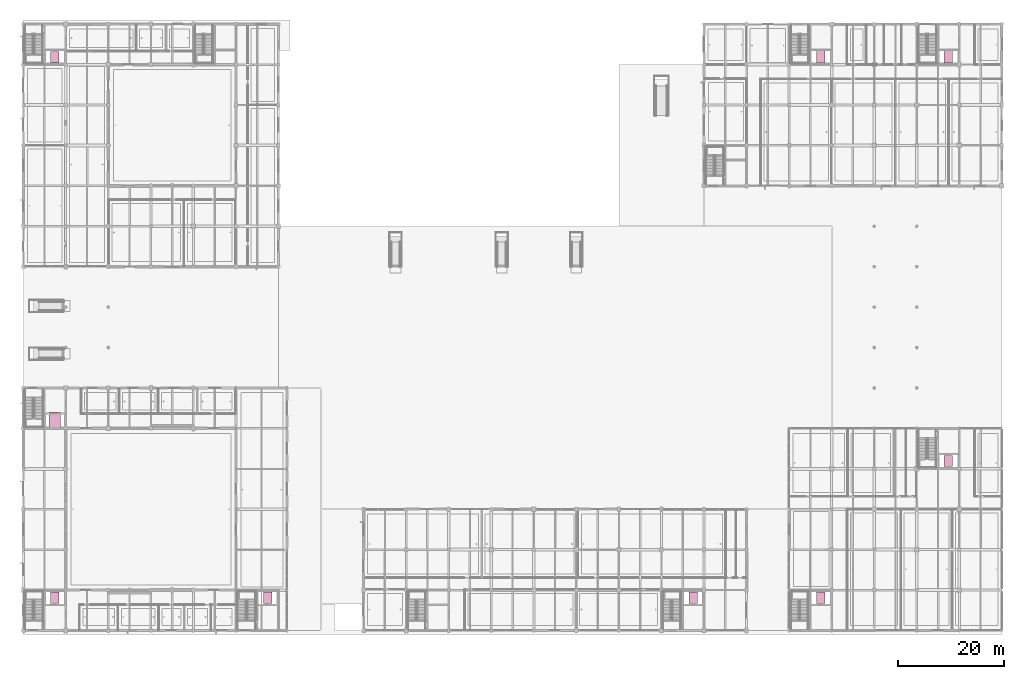
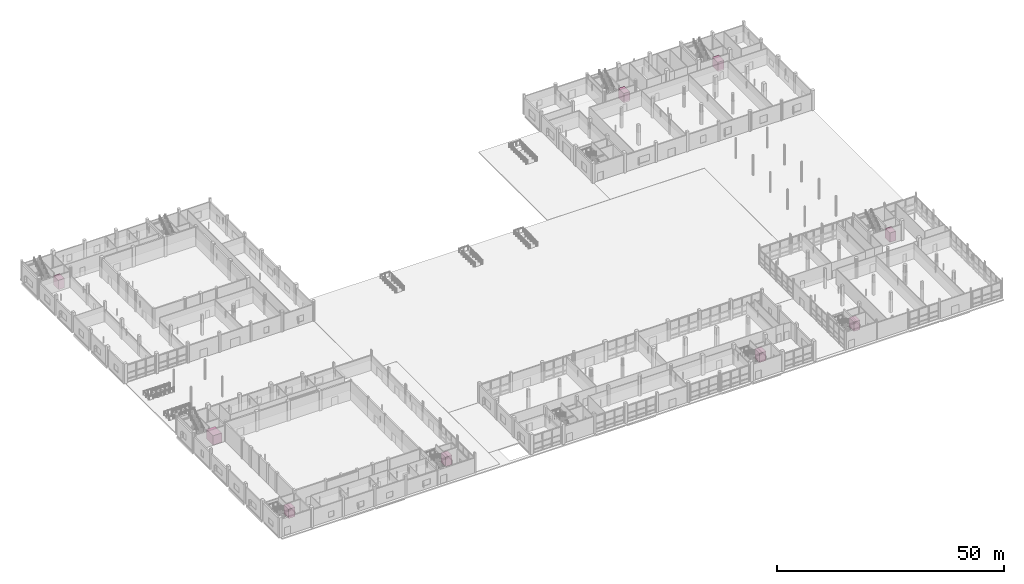
# One storey, part 126 of 126: 9 transport elements.
"""IFC4 building model written with IfcOpenShell, lengths in metres."""

from ifc_helpers import new_model, si_unit, direction, frame, origin, origin_2d, place, context, subcontext, project, spatial, rectangle, extrude, material, type_object, element, save


model = new_model("IFC4")

# Units and contexts
model_context = context("Model", 3, precision=1e-05, world=origin(), true_north=direction((0.0, 1.0)))
body_context = subcontext(model_context, "Body", "Model", "MODEL_VIEW")
ifc_project = project(units=[si_unit("LENGTHUNIT", "METRE"), si_unit("AREAUNIT", "SQUARE_METRE"), si_unit("VOLUMEUNIT", "CUBIC_METRE"), si_unit("PLANEANGLEUNIT", "RADIAN"), si_unit("MASSUNIT", "GRAM", prefix="KILO")], contexts=[model_context])

# Site, building, storey
site_placement = place(None, origin())
site = spatial("IfcSite", under=ifc_project, at=site_placement, CompositionType="ELEMENT")
building_placement = place(site_placement, origin())
building = spatial("IfcBuilding", under=site, at=building_placement, Name="Khelvaren Railside Concert Hall", CompositionType="ELEMENT")
storey_placement = place(building_placement, origin())
storey = spatial("IfcBuildingStorey", under=building, at=storey_placement, Name="L00", CompositionType="ELEMENT", Elevation=0.0)

# Transport elements
ifc_material = material(Name="Brushed stainless steel Grade 316", Category="steel")
transport_element_type_1 = type_object("IfcTransportElementType", Name="LFT33", PredefinedType="ELEVATOR", material=ifc_material)
for number, where, z_axis, x_axis, name in (
    (1, (5.949951171875, 6.14990234375, 0.0), (0.0, 0.0, 1.0), (1.0, 0.0, 0.0), "Passenger Lift PL-06"),
    (2, (45.949951171875, 6.14990234375, 0.0), (0.0, 0.0, 1.0), (1.0, 0.0, 0.0), "Passenger Lift PL-01"),
    (3, (149.949951171875, 6.14990234375, 0.0), (0.0, 0.0, 1.0), (1.0, 0.0, 0.0), "Passenger Lift PL-02"),
    (4, (173.949951171875, 31.85009765625, 0.0), (0.0, 0.0, 1.0), (1.0, 0.0, 0.0), "Passenger Lift PL-03"),
    (5, (125.949951171875, 6.14990234375, 0.0), (0.0, 0.0, 1.0), (1.0, 0.0, 0.0), "Passenger Lift PL-04"),
    (6, (5.949951171875, 107.85009765625, 0.0), (0.0, 0.0, 1.0), (1.0, 0.0, 0.0), "Passenger Lift PL-05"),
):
    element("IfcTransportElement", number, at=place(storey_placement, frame(where, z_axis=z_axis, x_axis=x_axis)), inside=storey, type_object=transport_element_type_1, Name=name, PredefinedType="ELEVATOR", context=body_context, shape_type="SweptSolid", body=[
        extrude(rectangle(XDim=1.60009765625, YDim=2.10009765625, at=origin_2d()), origin(), (0.0, 0.0, 1.0), 2.5),
    ])
transport_element_type_2 = type_object("IfcTransportElementType", Name="LFT52", PredefinedType="ELEVATOR", material=ifc_material)
for number, where, z_axis, x_axis, name in (
    (7, (149.949951171875, 107.85009765625, 0.0), (0.0, 0.0, 1.0), (1.0, 0.0, 0.0), "Firefighting Lift FL-02"),
    (8, (173.949951171875, 107.85009765625, 0.0), (0.0, 0.0, 1.0), (1.0, 0.0, 0.0), "Firefighting Lift FL-01"),
):
    element("IfcTransportElement", number, at=place(storey_placement, frame(where, z_axis=z_axis, x_axis=x_axis)), inside=storey, type_object=transport_element_type_2, Name=name, PredefinedType="ELEVATOR", context=body_context, shape_type="SweptSolid", body=[
        extrude(rectangle(XDim=1.60009765625, YDim=2.39990234375, at=origin_2d()), origin(), (0.0, 0.0, 1.0), 2.5),
    ])
transport_element_type_3 = type_object("IfcTransportElementType", Name="LFT81", PredefinedType="ELEVATOR", material=ifc_material)
transport_element_placement = place(storey_placement, frame((5.949951171875, 39.449951171875, 0.0), z_axis=(0.0, 0.0, 1.0), x_axis=(1.0, 0.0, 0.0)))
element("IfcTransportElement", 9, at=transport_element_placement, inside=storey, type_object=transport_element_type_3, Name="Goods Lift GL-01", PredefinedType="ELEVATOR", context=body_context, shape_type="SweptSolid", body=[
    extrude(rectangle(XDim=2.199951171875, YDim=3.0, at=origin_2d()), origin(), (0.0, 0.0, 1.0), 2.5),
])

save(model, "model.ifc")
